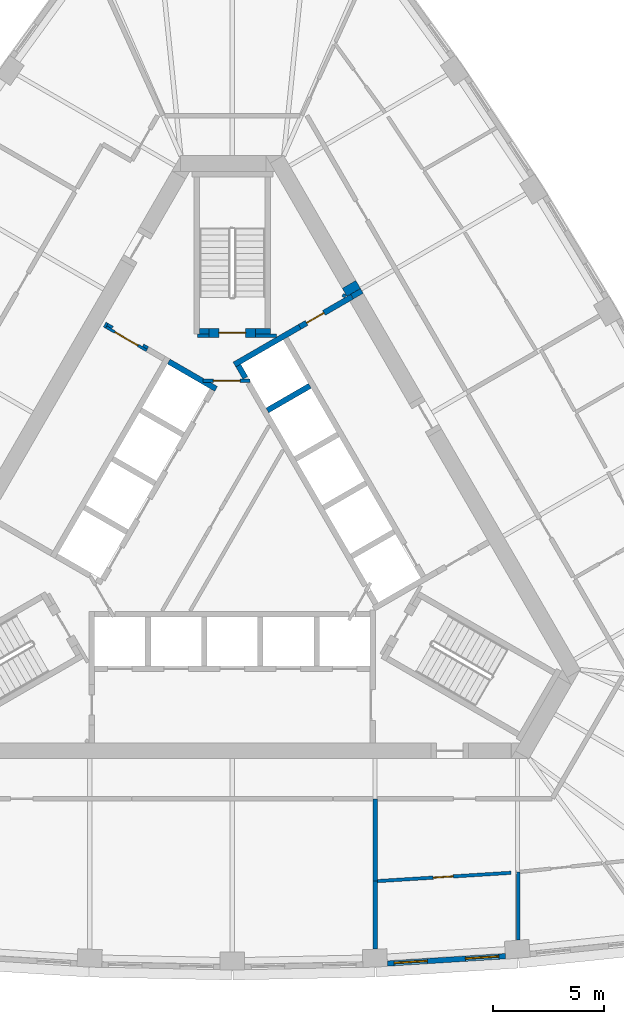
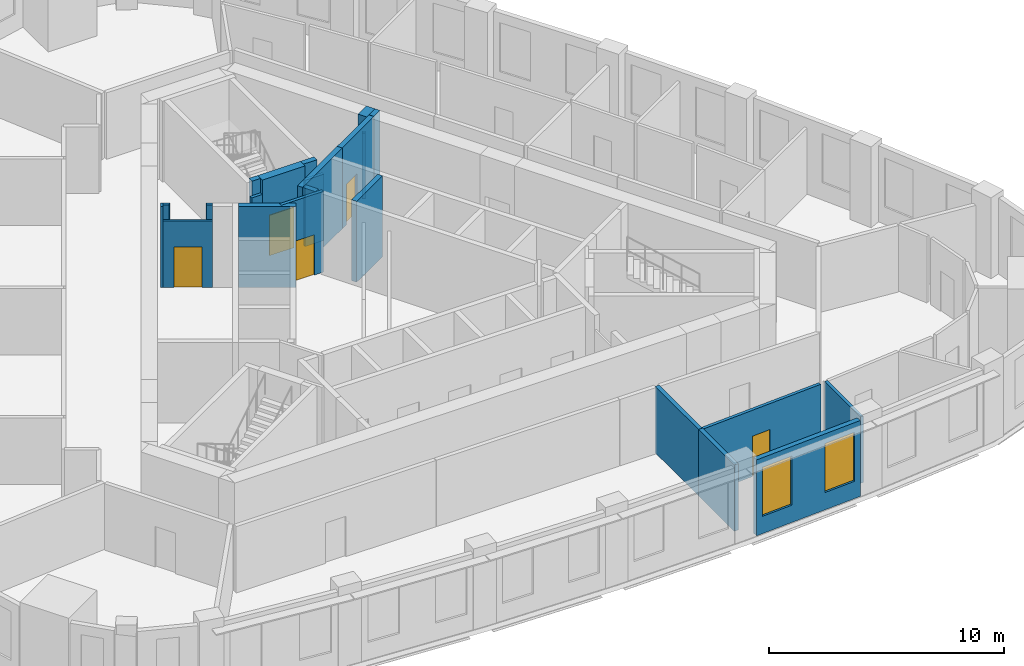
# One storey, part 5 of 10: 23 walls, 5 doors, 2 windows, 7 openings.
"""IFC4 building model written with IfcOpenShell, lengths in metres."""

from ifc_helpers import new_model, si_unit, direction, frame, frame_2d, origin, place, context, subcontext, project, spatial, polyline, rectangle, outline, extrude, material, layer, layer_set, type_object, element, fill, save


model = new_model("IFC4")

# Units and contexts
model_context = context("Model", 3, precision=1e-05, world=origin(), true_north=direction((0.0, 1.0)))
body_context = subcontext(model_context, "Body", "Model", "MODEL_VIEW")
ifc_project = project(units=[si_unit("LENGTHUNIT", "METRE"), si_unit("AREAUNIT", "SQUARE_METRE"), si_unit("VOLUMEUNIT", "CUBIC_METRE"), si_unit("PLANEANGLEUNIT", "RADIAN"), si_unit("MASSUNIT", "GRAM", prefix="KILO")], contexts=[model_context])

# Site, building, storey
site_placement = place(None, origin())
site = spatial("IfcSite", under=ifc_project, at=site_placement, CompositionType="ELEMENT")
building_placement = place(site_placement, origin())
building = spatial("IfcBuilding", under=site, at=building_placement, Name="Mestral Congress Tower", CompositionType="ELEMENT")
storey_placement = place(building_placement, frame((0.0, 0.0, 226.800048828125)))
storey = spatial("IfcBuildingStorey", under=building, at=storey_placement, Name="L53", CompositionType="ELEMENT", Elevation=226.800048828125)

# Walls
ifc_material_1 = material(Name="Fire-rated board partition")
ifc_layer_1 = layer(ifc_material_1, 0.14990234375)
ifc_layer_set_1 = layer_set([ifc_layer_1], Name="Fire-rated board partition")
wall_type_1 = type_object("IfcWallType", Name="Core partition 150", PredefinedType="PARTITIONING", material=ifc_layer_set_1)
wall_1_placement = place(storey_placement, frame((1.050048828125, 8.62548828125, 0.0), z_axis=(0.0, 0.0, 1.0), x_axis=(1.0, 0.0, 0.0)))
element("IfcWall", 1, at=wall_1_placement, inside=storey, type_object=wall_type_1, Name="L53 core wall", PredefinedType="PARTITIONING", context=body_context, shape_type="SweptSolid", body=[
    extrude(rectangle(XDim=0.9287109375, YDim=0.14990234375, at=frame_2d((0.46435546875, 0.0))), origin(), (0.0, 0.0, 1.0), 3.449951171875),
])
wall_2_placement = place(storey_placement, frame((-1.56396484375, 8.62548828125, 0.0), z_axis=(0.0, 0.0, 1.0), x_axis=(1.0, 0.0, 0.0)))
element("IfcWall", 2, at=wall_2_placement, inside=storey, type_object=wall_type_1, Name="L53 core wall", PredefinedType="PARTITIONING", context=body_context, shape_type="SweptSolid", body=[
    extrude(rectangle(XDim=0.513916015625, YDim=0.14990234375, at=frame_2d((0.2568359375, 0.0))), origin(), (0.0, 0.0, 1.0), 3.449951171875),
])
wall_3_placement = place(storey_placement, frame((4.97998046875, 10.35791015625, 0.0), z_axis=(0.0, 0.0, 1.0), x_axis=(0.500640202437, 0.86565546709, 0.0)))
element("IfcWall", 3, at=wall_3_placement, inside=storey, type_object=wall_type_1, Name="L53 core wall", PredefinedType="PARTITIONING", context=body_context, shape_type="SweptSolid", body=[
    extrude(rectangle(XDim=0.145751953125, YDim=0.14990234375, at=frame_2d((0.07275390625, 0.0))), origin(), (0.0, 0.0, 1.0), 3.449951171875),
])

# Wall, opening, door
ifc_layer_2 = layer(ifc_material_1, 0.1201171875)
ifc_layer_set_2 = layer_set([ifc_layer_2], Name="Fire-rated board partition")
wall_type_2 = type_object("IfcWallType", Name="Core partition 150 door-wall 120", PredefinedType="PARTITIONING", material=ifc_layer_set_2)
wall_4_placement = place(storey_placement, frame((-5.65869140625, 9.01171875, 0.0), z_axis=(0.0, 0.0, 1.0), x_axis=(0.866009402589, -0.500027713859, 0.0)))
wall_4 = element("IfcWall", 4, at=wall_4_placement, inside=storey, type_object=wall_type_2, Name="L53 door wall", PredefinedType="PARTITIONING", context=body_context, shape_type="SweptSolid", body=[
    extrude(rectangle(XDim=2.10009765625, YDim=0.1201171875, at=frame_2d((1.050048828125, 0.0))), origin(), (0.0, 0.0, 1.0), 3.449951171875),
])
opening_1_placement = place(wall_4_placement, frame((0.449951171875, 0.0, 0.0)))
opening_1 = element("IfcOpeningElement", 5, at=opening_1_placement, cuts=wall_4, Name="Opening LB2-WL2", PredefinedType="OPENING", context=body_context, shape_type="SweptSolid", body=[
    extrude(rectangle(XDim=1.199951171875, YDim=2.10009765625, at=frame_2d((0.60009765625, 1.050048828125))), frame((0.0, 0.070068359375, 0.0), z_axis=(0.0, -1.0, 0.0), x_axis=(1.0, 0.0, 0.0)), (0.0, 0.0, 1.0), 0.14013671875),
])
ifc_material_2 = material(Name="Fire-rated steel door set", Category="steel")
door_type_1 = type_object("IfcDoorType", Name="Core door LB 1200x2100", OperationType="SINGLE_SWING_LEFT", PredefinedType="DOOR", material=ifc_material_2)
door_1_placement = place(opening_1_placement, origin())
door_1 = element("IfcDoor", 6, at=door_1_placement, inside=storey, type_object=door_type_1, Name="Door LB2-WL2", OperationType="SINGLE_SWING_LEFT", OverallHeight=2.10009765625, OverallWidth=1.199951171875, PredefinedType="DOOR", context=body_context, shape_type="SweptSolid", body=[
    extrude(rectangle(XDim=1.199951171875, YDim=2.10009765625, at=frame_2d((0.60009765625, 1.050048828125))), frame((0.0, 0.02490234375, 0.0), z_axis=(0.0, -1.0, 0.0), x_axis=(1.0, 0.0, 0.0)), (0.0, 0.0, 1.0), 0.050048828125),
])
fill(opening_1, door_1)

# Walls
ifc_material_3 = material(Name="Concrete C60/75", Category="concrete")
ifc_layer_3 = layer(ifc_material_3, 0.699951171875)
ifc_layer_set_3 = layer_set([ifc_layer_3], Name="Concrete C60/75")
wall_type_3 = type_object("IfcWallType", Name="Core wall RC 700", PredefinedType="SOLIDWALL", material=ifc_layer_set_3)
wall_5_placement = place(storey_placement, frame((5.4453125, 10.568603515625, 0.0), z_axis=(0.0, 0.0, 1.0), x_axis=(-0.500218351069, 0.865899302029, 0.0)))
element("IfcWall", 7, at=wall_5_placement, inside=storey, type_object=wall_type_3, Name="L53 core wall", PredefinedType="SOLIDWALL", context=body_context, shape_type="SweptSolid", body=[
    extrude(rectangle(XDim=0.411865234375, YDim=0.699951171875, at=frame_2d((0.2060546875, 0.0))), origin(), (0.0, 0.0, 1.0), 4.199951171875),
])
placement = place(storey_placement, origin())
element("IfcWall", 8, at=placement, inside=storey, type_object=wall_type_3, Name="L53 core wall", PredefinedType="SOLIDWALL", context=body_context, shape_type="SweptSolid", body=[
    extrude(outline(polyline([(5.431640625, 10.272216796875), (5.3076171875, 10.48681640625), (5.749267578125, 10.741943359375), (5.873291015625, 10.527099609375), (5.431640625, 10.272216796875)])), origin(), (0.0, 0.0, 1.0), 4.199951171875),
])

# Wall, openings, windows
ifc_material_4 = material(Name="Precast concrete C40/50 with limestone facing", Category="masonry")
ifc_layer_4 = layer(ifc_material_4, 0.239990234375)
ifc_layer_set_4 = layer_set([ifc_layer_4], Name="Precast concrete C40/50 with limestone facing")
wall_type_4 = type_object("IfcWallType", Name="Facade stone wall 240", PredefinedType="SOLIDWALL", material=ifc_layer_set_4)
wall_7_placement = place(storey_placement, frame((6.965087890625, -19.54296875, 0.0), z_axis=(0.0, 0.0, 1.0), x_axis=(0.9980633213, 0.062206162685, 0.0)))
wall_7 = element("IfcWall", 9, at=wall_7_placement, inside=storey, type_object=wall_type_4, Name="Facade wall F0-04", PredefinedType="SOLIDWALL", context=body_context, shape_type="SweptSolid", body=[
    extrude(rectangle(XDim=5.29833984375, YDim=0.239990234375, at=frame_2d((2.649169921875, 0.0))), origin(), (0.0, 0.0, 1.0), 3.949951171875),
])
opening_2_placement = place(wall_7_placement, frame((0.294677734375, 0.0, 0.89990234375)))
opening_2 = element("IfcOpeningElement", 10, at=opening_2_placement, cuts=wall_7, Name="Opening W4", PredefinedType="OPENING", context=body_context, shape_type="SweptSolid", body=[
    extrude(rectangle(XDim=1.5, YDim=2.550048828125, at=frame_2d((0.75, 1.27490234375))), frame((0.0, 0.1298828125, 0.0), z_axis=(0.0, -1.0, 0.0), x_axis=(1.0, 0.0, 0.0)), (0.0, 0.0, 1.0), 0.260009765625),
])
opening_3_placement = place(wall_7_placement, frame((3.503662109375, 0.0, 0.89990234375)))
opening_3 = element("IfcOpeningElement", 11, at=opening_3_placement, cuts=wall_7, Name="Opening W4", PredefinedType="OPENING", context=body_context, shape_type="SweptSolid", body=[
    extrude(rectangle(XDim=1.5, YDim=2.550048828125, at=frame_2d((0.75, 1.27490234375))), frame((0.0, 0.1298828125, 0.0), z_axis=(0.0, -1.0, 0.0), x_axis=(1.0, 0.0, 0.0)), (0.0, 0.0, 1.0), 0.260009765625),
])
ifc_material_5 = material(Name="Clear low-emissivity double glazing", Category="glass")
window_type = type_object("IfcWindowType", Name="Facade punched window 1500 x 2550 sill 900", PartitioningType="SINGLE_PANEL", PredefinedType="WINDOW", material=ifc_material_5)
window_1_placement = place(opening_2_placement, origin())
window_1 = element("IfcWindow", 12, at=window_1_placement, inside=storey, type_object=window_type, Name="Window F0-04a", OverallHeight=2.550048828125, OverallWidth=1.5, PartitioningType="SINGLE_PANEL", PredefinedType="WINDOW", context=body_context, shape_type="SweptSolid", body=[
    extrude(rectangle(XDim=1.5, YDim=2.550048828125, at=frame_2d((0.75, 1.27490234375))), frame((0.0, 0.0400390625, 0.0), z_axis=(0.0, -1.0, 0.0), x_axis=(1.0, 0.0, 0.0)), (0.0, 0.0, 1.0), 0.06005859375),
])
fill(opening_2, window_1)
window_2_placement = place(opening_3_placement, origin())
window_2 = element("IfcWindow", 13, at=window_2_placement, inside=storey, type_object=window_type, Name="Window F0-04b", OverallHeight=2.550048828125, OverallWidth=1.5, PartitioningType="SINGLE_PANEL", PredefinedType="WINDOW", context=body_context, shape_type="SweptSolid", body=[
    extrude(rectangle(XDim=1.5, YDim=2.550048828125, at=frame_2d((0.75, 1.27490234375))), frame((0.0, 0.0400390625, 0.0), z_axis=(0.0, -1.0, 0.0), x_axis=(1.0, 0.0, 0.0)), (0.0, 0.0, 1.0), 0.06005859375),
])
fill(opening_3, window_2)

# Wall
ifc_material_6 = material(Name="Plasterboard partition on steel studs", Category="steel")
ifc_layer_5 = layer(ifc_material_6, 0.14990234375)
ifc_layer_set_5 = layer_set([ifc_layer_5], Name="Plasterboard partition on steel studs")
wall_type_5 = type_object("IfcWallType", Name="Office partition 150", PredefinedType="PARTITIONING", material=ifc_layer_set_5)
wall_8_placement = place(storey_placement, frame((12.822509765625, -15.437255859375, 0.0), z_axis=(0.0, 0.0, 1.0), x_axis=(0.0, -1.0, 0.0)))
element("IfcWall", 14, at=wall_8_placement, inside=storey, type_object=wall_type_5, Name="Partition", PredefinedType="PARTITIONING", context=body_context, shape_type="SweptSolid", body=[
    extrude(rectangle(XDim=3.057861328125, YDim=0.14990234375, at=frame_2d((1.52880859375, 0.0))), origin(), (0.0, 0.0, 1.0), 3.449951171875),
])

# Wall, opening, door
wall_9_placement = place(storey_placement, frame((12.5, -15.470703125, 0.0), z_axis=(0.0, 0.0, 1.0), x_axis=(-0.998061916726, -0.0622286942, 0.0)))
wall_9 = element("IfcWall", 15, at=wall_9_placement, inside=storey, type_object=wall_type_5, Name="Partition", PredefinedType="PARTITIONING", context=body_context, shape_type="SweptSolid", body=[
    extrude(rectangle(XDim=5.994873046875, YDim=0.14990234375, at=frame_2d((2.99755859375, 0.0))), origin(), (0.0, 0.0, 1.0), 3.449951171875),
])
opening_4_placement = place(wall_9_placement, frame((2.5947265625, 0.0, 0.0)))
opening_4 = element("IfcOpeningElement", 16, at=opening_4_placement, cuts=wall_9, Name="Opening O08-007", PredefinedType="OPENING", context=body_context, shape_type="SweptSolid", body=[
    extrude(rectangle(XDim=0.89990234375, YDim=2.10009765625, at=frame_2d((0.449951171875, 1.050048828125))), frame((0.0, 0.0849609375, 0.0), z_axis=(0.0, -1.0, 0.0), x_axis=(1.0, 0.0, 0.0)), (0.0, 0.0, 1.0), 0.169921875),
])
ifc_material_7 = material(Name="Timber door set", Category="wood")
door_type_2 = type_object("IfcDoorType", Name="Office door 900x2100", OperationType="SINGLE_SWING_LEFT", PredefinedType="DOOR", material=ifc_material_7)
door_2_placement = place(opening_4_placement, origin())
door_2 = element("IfcDoor", 17, at=door_2_placement, inside=storey, type_object=door_type_2, Name="Door O08-007", OperationType="SINGLE_SWING_RIGHT", OverallHeight=2.10009765625, OverallWidth=0.89990234375, PredefinedType="DOOR", context=body_context, shape_type="SweptSolid", body=[
    extrude(rectangle(XDim=0.89990234375, YDim=2.10009765625, at=frame_2d((0.449951171875, 1.050048828125))), frame((0.0, 0.02490234375, 0.0), z_axis=(0.0, -1.0, 0.0), x_axis=(1.0, 0.0, 0.0)), (0.0, 0.0, 1.0), 0.050048828125),
])
fill(opening_4, door_2)

# Walls
ifc_material_8 = material(Name="Dense masonry wall, plastered", Category="masonry")
ifc_layer_6 = layer(ifc_material_8, 0.199951171875)
ifc_layer_set_6 = layer_set([ifc_layer_6], Name="Dense masonry wall, plastered")
wall_type_6 = type_object("IfcWallType", Name="Office tenancy wall 200", PredefinedType="PARTITIONING", material=ifc_layer_set_6)
wall_10_placement = place(storey_placement, frame((6.416748046875, -15.845947265625, 0.0), z_axis=(0.0, 0.0, 1.0), x_axis=(0.0, -1.0, 0.0)))
element("IfcWall", 18, at=wall_10_placement, inside=storey, type_object=wall_type_6, Name="Tenancy wall", PredefinedType="PARTITIONING", context=body_context, shape_type="SweptSolid", body=[
    extrude(rectangle(XDim=3.05078125, YDim=0.199951171875, at=frame_2d((1.525390625, 0.0))), origin(), (0.0, 0.0, 1.0), 3.449951171875),
])
wall_11_placement = place(storey_placement, frame((6.416748046875, -12.14990234375, 0.0), z_axis=(0.0, 0.0, 1.0), x_axis=(0.0, -1.0, 0.0)))
element("IfcWall", 19, at=wall_11_placement, inside=storey, type_object=wall_type_6, Name="Tenancy wall", PredefinedType="PARTITIONING", context=body_context, shape_type="SweptSolid", body=[
    extrude(rectangle(XDim=3.7041015625, YDim=0.199951171875, at=frame_2d((1.85205078125, 0.0))), origin(), (0.0, 0.0, 1.0), 3.449951171875),
])
ifc_layer_7 = layer(ifc_material_3, 0.25)
ifc_layer_set_7 = layer_set([ifc_layer_7], Name="Concrete C60/75")
wall_type_7 = type_object("IfcWallType", Name="Shaft wall RC 250", PredefinedType="SOLIDWALL", material=ifc_layer_set_7)
wall_12_placement = place(storey_placement, frame((3.02783203125, 9.022705078125, 0.0), z_axis=(0.0, 0.0, 1.0), x_axis=(-0.866036587186, -0.49998062928, 0.0)))
element("IfcWall", 20, at=wall_12_placement, inside=storey, type_object=wall_type_7, Name="L53 core wall", PredefinedType="SOLIDWALL", context=body_context, shape_type="SweptSolid", body=[
    extrude(rectangle(XDim=3.383544921875, YDim=0.25, at=frame_2d((1.69189453125, 0.0))), origin(), (0.0, 0.0, 1.0), 4.199951171875),
])
wall_13_placement = place(storey_placement, frame((0.268310546875, 7.28515625, 0.0), z_axis=(0.0, 0.0, 1.0), x_axis=(0.500098681536, -0.865968422476, 0.0)))
element("IfcWall", 21, at=wall_13_placement, inside=storey, type_object=wall_type_7, Name="L53 core wall", PredefinedType="SOLIDWALL", context=body_context, shape_type="SweptSolid", body=[
    extrude(rectangle(XDim=0.636474609375, YDim=0.25, at=frame_2d((0.318359375, 0.0))), origin(), (0.0, 0.0, 1.0), 4.199951171875),
])
wall_14_placement = place(storey_placement, frame((1.57421875, 5.273681640625, 0.0), z_axis=(0.0, 0.0, 1.0), x_axis=(0.866028486751, 0.499994660107, 0.0)))
element("IfcWall", 22, at=wall_14_placement, inside=storey, type_object=wall_type_7, Name="L53 core wall", PredefinedType="SOLIDWALL", context=body_context, shape_type="SweptSolid", body=[
    extrude(rectangle(XDim=2.19970703125, YDim=0.25, at=frame_2d((1.099853515625, 0.0))), origin(), (0.0, 0.0, 1.0), 4.199951171875),
])
element("IfcWall", 23, at=placement, inside=storey, type_object=wall_type_7, Name="L53 core wall", PredefinedType="SOLIDWALL", context=body_context, shape_type="SweptSolid", body=[
    extrude(outline(polyline([(-2.911865234375, 7.3564453125), (-2.786865234375, 7.572998046875), (-1.231689453125, 6.675048828125), (-1.303466796875, 6.675048828125), (-1.3037109375, 6.675048828125), (-1.3037109375, 6.675048828125), (-1.3037109375, 6.52490234375), (-1.3037109375, 6.52490234375), (-1.303466796875, 6.52490234375), (-0.971435546875, 6.52490234375), (-0.6650390625, 6.347900390625), (-0.7900390625, 6.131591796875), (-1.006591796875, 6.256591796875), (-1.006591796875, 6.256591796875), (-2.911865234375, 7.3564453125)])), origin(), (0.0, 0.0, 1.0), 4.199951171875),
])
wall_16_placement = place(storey_placement, frame((-5.724609375, 9.124755859375, 0.0), z_axis=(0.0, 0.0, 1.0), x_axis=(0.866185586049, -0.49972245349, 0.0)))
element("IfcWall", 24, at=wall_16_placement, inside=storey, type_object=wall_type_7, Name="L53 core wall", PredefinedType="SOLIDWALL", context=body_context, shape_type="SweptSolid", body=[
    extrude(rectangle(XDim=0.10986328125, YDim=0.25, at=frame_2d((0.054931640625, 0.0))), origin(), (0.0, 0.0, 1.0), 4.199951171875),
])
element("IfcWall", 25, at=placement, inside=storey, type_object=wall_type_7, Name="L53 core wall", PredefinedType="SOLIDWALL", context=body_context, shape_type="SweptSolid", body=[
    extrude(outline(polyline([(-3.748291015625, 8.1279296875), (-3.813232421875, 8.015380859375), (-4.026611328125, 8.138671875), (-4.0166015625, 8.156005859375), (-4.007568359375, 8.17333984375), (-4.000244140625, 8.191650390625), (-3.994873046875, 8.21044921875), (-3.991455078125, 8.229736328125), (-3.98974609375, 8.24951171875), (-3.989990234375, 8.267578125), (-3.748291015625, 8.1279296875)])), origin(), (0.0, 0.0, 1.0), 4.199951171875),
])
element("IfcWall", 26, at=placement, inside=storey, type_object=wall_type_7, Name="L53 core wall", PredefinedType="SOLIDWALL", context=body_context, shape_type="SweptSolid", body=[
    extrude(outline(polyline([(-5.688720703125, 8.959716796875), (-5.690185546875, 8.960693359375), (-5.565185546875, 9.177001953125), (-5.318603515625, 9.03466796875), (-5.334716796875, 9.02587890625), (-5.3505859375, 9.0146484375), (-5.36572265625, 9.001953125), (-5.37939453125, 8.98779296875), (-5.3916015625, 8.972412109375), (-5.402099609375, 8.955810546875), (-5.412109375, 8.938720703125), (-5.628662109375, 9.063720703125), (-5.628662109375, 9.063720703125), (-5.688720703125, 8.959716796875)])), origin(), (0.0, 0.0, 1.0), 4.199951171875),
])

# Wall, opening, door
wall_19_placement = place(storey_placement, frame((5.3662109375, 10.372802734375, 0.0), z_axis=(0.0, 0.0, 1.0), x_axis=(-0.866019956843, -0.50000943426, 0.0)))
wall_19 = element("IfcWall", 27, at=wall_19_placement, inside=storey, type_object=wall_type_7, Name="L53 door wall", PredefinedType="SOLIDWALL", context=body_context, shape_type="SweptSolid", body=[
    extrude(rectangle(XDim=2.7001953125, YDim=0.25, at=frame_2d((1.35009765625, 0.0))), origin(), (0.0, 0.0, 1.0), 4.199951171875),
])
opening_5_placement = place(wall_19_placement, frame((1.449951171875, 0.0, 0.0)))
opening_5 = element("IfcOpeningElement", 28, at=opening_5_placement, cuts=wall_19, Name="Opening TD2", PredefinedType="OPENING", context=body_context, shape_type="SweptSolid", body=[
    extrude(rectangle(XDim=0.89990234375, YDim=2.10009765625, at=frame_2d((0.449951171875, 1.050048828125))), frame((0.0, 0.135009765625, 0.0), z_axis=(0.0, -1.0, 0.0), x_axis=(1.0, 0.0, 0.0)), (0.0, 0.0, 1.0), 0.27001953125),
])
door_type_3 = type_object("IfcDoorType", Name="Core door SR 900x2100", OperationType="SINGLE_SWING_LEFT", PredefinedType="DOOR", material=ifc_material_2)
door_3_placement = place(opening_5_placement, origin())
door_3 = element("IfcDoor", 29, at=door_3_placement, inside=storey, type_object=door_type_3, Name="Door TD2", OperationType="SINGLE_SWING_LEFT", OverallHeight=2.10009765625, OverallWidth=0.89990234375, PredefinedType="DOOR", context=body_context, shape_type="SweptSolid", body=[
    extrude(rectangle(XDim=0.89990234375, YDim=2.10009765625, at=frame_2d((0.449951171875, 1.050048828125))), frame((0.0, 0.02490234375, 0.0), z_axis=(0.0, -1.0, 0.0), x_axis=(1.0, 0.0, 0.0)), (0.0, 0.0, 1.0), 0.050048828125),
])
fill(opening_5, door_3)

ifc_layer_8 = layer(ifc_material_3, 0.14990234375)
ifc_layer_set_8 = layer_set([ifc_layer_8], Name="Concrete C60/75")
wall_type_8 = type_object("IfcWallType", Name="Shaft wall RC 250 door-wall 150", PredefinedType="SOLIDWALL", material=ifc_layer_set_8)
wall_20_placement = place(storey_placement, frame((-1.303466796875, 6.60009765625, 0.0), z_axis=(0.0, 0.0, 1.0), x_axis=(1.0, 0.0, 0.0)))
wall_20 = element("IfcWall", 30, at=wall_20_placement, inside=storey, type_object=wall_type_8, Name="L53 door wall", PredefinedType="PARTITIONING", context=body_context, shape_type="SweptSolid", body=[
    extrude(rectangle(XDim=2.099853515625, YDim=0.14990234375, at=frame_2d((1.0498046875, 0.0))), origin(), (0.0, 0.0, 1.0), 4.199951171875),
])
opening_6_placement = place(wall_20_placement, frame((0.449951171875, 0.0, 0.0)))
opening_6 = element("IfcOpeningElement", 31, at=opening_6_placement, cuts=wall_20, Name="Opening CD2-FF", PredefinedType="OPENING", context=body_context, shape_type="SweptSolid", body=[
    extrude(rectangle(XDim=1.199951171875, YDim=2.10009765625, at=frame_2d((0.60009765625, 1.050048828125))), frame((0.0, 0.0849609375, 0.0), z_axis=(0.0, -1.0, 0.0), x_axis=(1.0, 0.0, 0.0)), (0.0, 0.0, 1.0), 0.169921875),
])
door_type_4 = type_object("IfcDoorType", Name="Core door CD 1200x2100", OperationType="SINGLE_SWING_LEFT", PredefinedType="DOOR", material=ifc_material_2)
door_4_placement = place(opening_6_placement, origin())
door_4 = element("IfcDoor", 32, at=door_4_placement, inside=storey, type_object=door_type_4, Name="Door CD2-FF", OperationType="SINGLE_SWING_LEFT", OverallHeight=2.10009765625, OverallWidth=1.199951171875, PredefinedType="DOOR", context=body_context, shape_type="SweptSolid", body=[
    extrude(rectangle(XDim=1.199951171875, YDim=2.10009765625, at=frame_2d((0.60009765625, 1.050048828125))), frame((0.0, 0.02490234375, 0.0), z_axis=(0.0, -1.0, 0.0), x_axis=(1.0, 0.0, 0.0)), (0.0, 0.0, 1.0), 0.050048828125),
])
fill(opening_6, door_4)

# Walls
ifc_layer_9 = layer(ifc_material_3, 0.25)
ifc_layer_set_9 = layer_set([ifc_layer_9], Name="Concrete C60/75")
wall_type_9 = type_object("IfcWallType", Name="Stair wall RC 250", PredefinedType="SOLIDWALL", material=ifc_layer_set_9)
wall_21_placement = place(storey_placement, frame((1.050048828125, 8.824951171875, 0.0), z_axis=(0.0, 0.0, 1.0), x_axis=(1.0, 0.0, 0.0)))
element("IfcWall", 33, at=wall_21_placement, inside=storey, type_object=wall_type_9, Name="L53 core wall", PredefinedType="SOLIDWALL", context=body_context, shape_type="SweptSolid", body=[
    extrude(rectangle(XDim=0.675048828125, YDim=0.25, at=frame_2d((0.33740234375, 0.0))), origin(), (0.0, 0.0, 1.0), 4.199951171875),
])
wall_22_placement = place(storey_placement, frame((-1.47509765625, 8.824951171875, 0.0), z_axis=(0.0, 0.0, 1.0), x_axis=(1.0, 0.0, 0.0)))
element("IfcWall", 34, at=wall_22_placement, inside=storey, type_object=wall_type_9, Name="L53 core wall", PredefinedType="SOLIDWALL", context=body_context, shape_type="SweptSolid", body=[
    extrude(rectangle(XDim=0.425048828125, YDim=0.25, at=frame_2d((0.21240234375, 0.0))), origin(), (0.0, 0.0, 1.0), 4.199951171875),
])

# Wall, opening, door
ifc_layer_10 = layer(ifc_material_3, 0.39990234375)
ifc_layer_set_10 = layer_set([ifc_layer_10], Name="Concrete C60/75")
wall_type_10 = type_object("IfcWallType", Name="Stair wall RC 250 door-wall 400", PredefinedType="SOLIDWALL", material=ifc_layer_set_10)
wall_23_placement = place(storey_placement, frame((1.050048828125, 8.75, 0.0), z_axis=(0.0, 0.0, 1.0), x_axis=(-1.0, 0.0, 0.0)))
wall_23 = element("IfcWall", 35, at=wall_23_placement, inside=storey, type_object=wall_type_10, Name="L53 door wall", PredefinedType="SOLIDWALL", context=body_context, shape_type="SweptSolid", body=[
    extrude(rectangle(XDim=2.10009765625, YDim=0.39990234375, at=frame_2d((1.050048828125, 0.0))), origin(), (0.0, 0.0, 1.0), 4.199951171875),
])
opening_7_placement = place(wall_23_placement, frame((0.449951171875, 0.0, 0.0)))
opening_7 = element("IfcOpeningElement", 36, at=opening_7_placement, cuts=wall_23, Name="Opening ST-D2", PredefinedType="OPENING", context=body_context, shape_type="SweptSolid", body=[
    extrude(rectangle(XDim=1.199951171875, YDim=2.10009765625, at=frame_2d((0.60009765625, 1.050048828125))), frame((0.0, 0.2099609375, 0.0), z_axis=(0.0, -1.0, 0.0), x_axis=(1.0, 0.0, 0.0)), (0.0, 0.0, 1.0), 0.419921875),
])
door_type_5 = type_object("IfcDoorType", Name="Core door ST 1200x2100", OperationType="SINGLE_SWING_LEFT", PredefinedType="DOOR", material=ifc_material_2)
door_5_placement = place(opening_7_placement, origin())
door_5 = element("IfcDoor", 37, at=door_5_placement, inside=storey, type_object=door_type_5, Name="Door ST-D2", OperationType="SINGLE_SWING_LEFT", OverallHeight=2.10009765625, OverallWidth=1.199951171875, PredefinedType="DOOR", context=body_context, shape_type="SweptSolid", body=[
    extrude(rectangle(XDim=1.199951171875, YDim=2.10009765625, at=frame_2d((0.60009765625, 1.050048828125))), frame((0.0, 0.02490234375, 0.0), z_axis=(0.0, -1.0, 0.0), x_axis=(1.0, 0.0, 0.0)), (0.0, 0.0, 1.0), 0.050048828125),
])
fill(opening_7, door_5)

save(model, "model.ifc")
